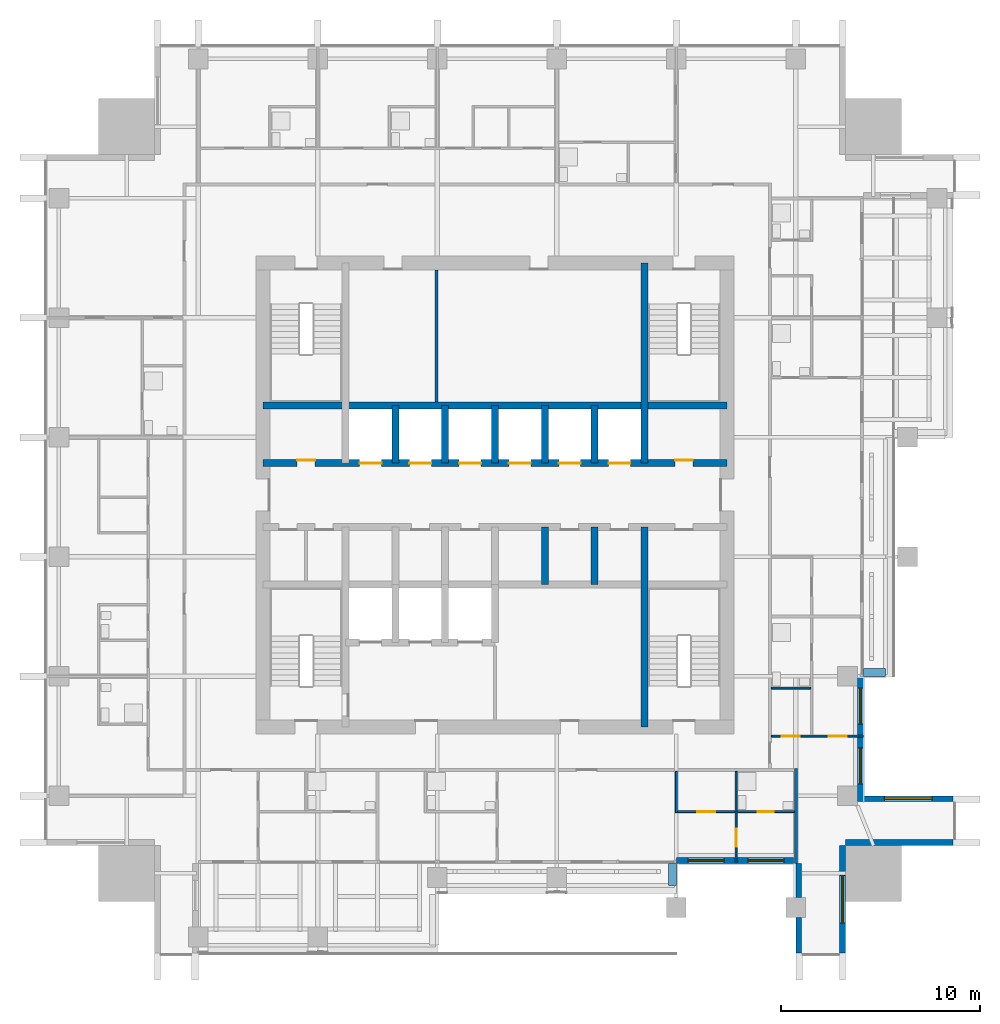
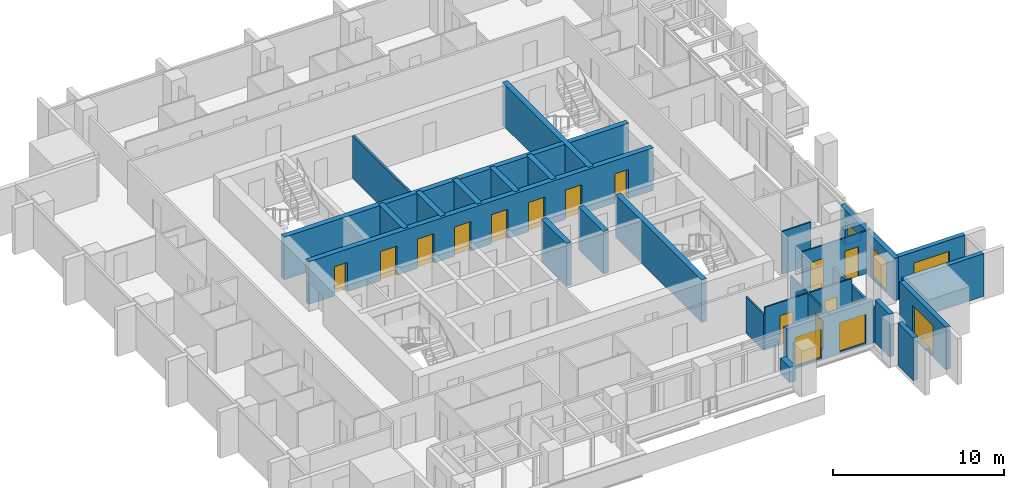
# One storey, part 10 of 16: 27 walls, 13 doors, 6 windows, 19 openings.
"""IFC4 building model written with IfcOpenShell, lengths in metres."""

import ifcopenshell
import ifcopenshell.guid

model = None  # the IFC model being written
_history = None  # IfcOwnerHistory: only IFC2X3 demands one
_inside = {}  # id of a spatial element -> (the spatial element, [elements in it])
_under = {}  # id of a project, library or spatial element -> (it, [spatial elements below it])
_declared = {}  # id of a project -> (the project, [libraries it declares])
_typed = {}  # id of a type object -> (the type object, [elements of that type])
_made_of = {}  # id of a material, layer set ... -> (it, [elements and type objects made of it])


def new_model(schema):
    """Start an empty IFC model of exactly this schema.

    Asked for "IFC4X3", IfcOpenShell would pick the latest addendum, in which some entities
    have other attributes; the version numbers below select the first issue.
    IFC2X3 requires an IfcOwnerHistory on every rooted entity: one is made here for all.
    """
    global model, _history
    if schema == "IFC4X3":
        model = ifcopenshell.file(schema_version=(4, 3, 0, 0))
    else:
        model = ifcopenshell.file(schema=schema)
    _inside.clear()
    _under.clear()
    _declared.clear()
    _typed.clear()
    _made_of.clear()
    _history = None
    if model.schema == "IFC2X3":
        org = make("IfcOrganization", Name="unknown")
        user = make(
            "IfcPersonAndOrganization",
            ThePerson=make("IfcPerson", FamilyName="unknown"),
            TheOrganization=org,
        )
        app = make(
            "IfcApplication",
            ApplicationDeveloper=org,
            Version="unknown",
            ApplicationFullName="unknown",
            ApplicationIdentifier="unknown",
        )
        _history = make(
            "IfcOwnerHistory",
            OwningUser=user,
            OwningApplication=app,
            ChangeAction="ADDED",
            CreationDate=0,
        )
    return model


def make(cls, **values):
    """One entity of the class cls with the attributes given. An attribute that is None is left unset."""
    return model.create_entity(
        cls, **{name: value for name, value in values.items() if value is not None}
    )


def rooted(cls, **values):
    """An entity with a GlobalId (a new one), such as an element, a storey or a relation."""
    return make(cls, GlobalId=ifcopenshell.guid.new(), OwnerHistory=_history, **values)


def si_unit(unit_type, name, prefix=None):
    """IfcSIUnit, for example si_unit("LENGTHUNIT", "METRE", prefix="MILLI")."""
    return make("IfcSIUnit", UnitType=unit_type, Prefix=prefix, Name=name)


def assignment(units):
    """IfcUnitAssignment: the units of a project."""
    return None if units is None else make("IfcUnitAssignment", Units=units)


def point(xyz):
    """IfcCartesianPoint."""
    return None if xyz is None else make("IfcCartesianPoint", Coordinates=xyz)


def direction(xyz):
    """IfcDirection."""
    return None if xyz is None else make("IfcDirection", DirectionRatios=xyz)


def frame(location, z_axis=None, x_axis=None):
    """IfcAxis2Placement3D, a coordinate frame: its origin and axes. An axis left out is left unset."""
    return make(
        "IfcAxis2Placement3D",
        Location=point(location),
        Axis=direction(z_axis),
        RefDirection=direction(x_axis),
    )


def frame_2d(location, x_axis=None):
    """IfcAxis2Placement2D, a coordinate frame in the plane: its origin and x axis."""
    return make(
        "IfcAxis2Placement2D", Location=point(location), RefDirection=direction(x_axis)
    )


def origin():
    """The frame at (0, 0, 0) with its axes left unset."""
    return frame((0.0, 0.0, 0.0))


def place(relative_to, where):
    """IfcLocalPlacement: puts the frame where relative to a parent placement (None: the world)."""
    return make(
        "IfcLocalPlacement", PlacementRelTo=relative_to, RelativePlacement=where
    )


def context(
    kind, dimensions, precision=None, world=None, true_north=None, identifier=None
):
    """IfcGeometricRepresentationContext, for example the 3D "Model" context."""
    return make(
        "IfcGeometricRepresentationContext",
        ContextIdentifier=identifier,
        ContextType=kind,
        CoordinateSpaceDimension=dimensions,
        Precision=precision,
        WorldCoordinateSystem=world,
        TrueNorth=true_north,
    )


def subcontext(parent, identifier, kind, view, scale=None):
    """IfcGeometricRepresentationSubContext, for example "Body" below "Model"."""
    return make(
        "IfcGeometricRepresentationSubContext",
        ContextIdentifier=identifier,
        ContextType=kind,
        ParentContext=parent,
        TargetScale=scale,
        TargetView=view,
    )


def project(units=None, contexts=None):
    """IfcProject with its units and contexts."""
    return rooted(
        "IfcProject",
        Name="project",
        RepresentationContexts=contexts,
        UnitsInContext=assignment(units),
    )


def spatial(cls, under=None, at=None, **own):
    """A site, building, storey or space (cls), placed at a placement, below another one or the project."""
    s = rooted(cls, ObjectPlacement=at, **own)
    if under is not None:
        _under.setdefault(under.id(), (under, []))[1].append(s)
    return s


def profile(cls, at=None, kind="AREA", **sizes):
    """A parametric profile (cls). Its sizes go by their IFC names, for example OverallWidth=200.0."""
    return make(cls, ProfileType=kind, Position=at, **sizes)


def rectangle(**sizes):
    """IfcRectangleProfileDef."""
    return profile("IfcRectangleProfileDef", **sizes)


def extrude(swept, where, along, depth):
    """IfcExtrudedAreaSolid: the profile swept, set in the frame where, extruded along a direction by depth."""
    return make(
        "IfcExtrudedAreaSolid",
        SweptArea=swept,
        Position=where,
        ExtrudedDirection=direction(along),
        Depth=depth,
    )


def shape(context_of_items, identifier, shape_type, items):
    """IfcShapeRepresentation: the items that make up one representation, for example the "Body"."""
    return make(
        "IfcShapeRepresentation",
        ContextOfItems=context_of_items,
        RepresentationIdentifier=identifier,
        RepresentationType=shape_type,
        Items=items,
    )


def material(Name=None, Category=None):
    """IfcMaterial."""
    return make("IfcMaterial", Name=Name, Category=Category)


def layer(
    of_material, thickness, ventilated=None, Name=None, Category=None, Priority=None
):
    """IfcMaterialLayer: one layer of a wall or slab, of a material (None: an air gap)."""
    return make(
        "IfcMaterialLayer",
        Material=of_material,
        LayerThickness=thickness,
        IsVentilated=ventilated,
        Name=Name,
        Category=Category,
        Priority=Priority,
    )


def layer_set(layers, Name=None):
    """IfcMaterialLayerSet."""
    return make("IfcMaterialLayerSet", MaterialLayers=layers, LayerSetName=Name)


def made_of(thing, what):
    """Note that an element or type object is made of a material, layer set ...; save() writes the relation."""
    if what is not None:
        _made_of.setdefault(what.id(), (what, []))[1].append(thing)
    return thing


def type_object(cls, material=None, **own):
    """A type object (cls), such as IfcWallType, which elements share."""
    return made_of(rooted(cls, **own), material)


def element(
    cls,
    number,
    at=None,
    inside=None,
    cuts=None,
    type_object=None,
    material=None,
    context=None,
    identifier="Body",
    shape_type=None,
    held_by="IfcProductDefinitionShape",
    body=None,
    shapes=None,
    **own,
):
    """One element of the class cls, such as IfcWall. Its Tag is "e" and its number.

    at: its placement. inside: the storey or other place that contains it. cuts: it is an
    opening in that element (IfcRelVoidsElement). A single representation is given by context,
    identifier, shape_type and body (its items); several are given by shapes. held_by: the class
    of the entity that holds the representations. save() writes the other relations.
    """
    e = rooted(cls, Tag="e%d" % number, ObjectPlacement=at, **own)
    if body is not None:
        shapes = [shape(context, identifier, shape_type, body)]
    if shapes is not None:
        e.Representation = make(held_by, Representations=shapes)
    if inside is not None:
        _inside.setdefault(inside.id(), (inside, []))[1].append(e)
    if cuts is not None:
        rooted(
            "IfcRelVoidsElement", RelatingBuildingElement=cuts, RelatedOpeningElement=e
        )
    if type_object is not None:
        _typed.setdefault(type_object.id(), (type_object, []))[1].append(e)
    return made_of(e, material)


def fill(opening, filler):
    """IfcRelFillsElement: the door or window that sits in an opening."""
    return rooted(
        "IfcRelFillsElement",
        RelatingOpeningElement=opening,
        RelatedBuildingElement=filler,
    )


def aggregate(whole, parts):
    """IfcRelAggregates: a whole, such as a stair, and the parts it consists of."""
    return rooted("IfcRelAggregates", RelatingObject=whole, RelatedObjects=parts)


def save(model, path):
    """Write the relations noted so far, then the file.

    IfcRelAggregates (storeys below a building ...), IfcRelContainedInSpatialStructure (elements
    in a storey), IfcRelDefinesByType, IfcRelAssociatesMaterial and IfcRelDeclares: one each for
    every whole, place, type object, material and project.
    """
    for whole, parts in _under.values():
        aggregate(whole, parts)
    for where, things in _inside.values():
        rooted(
            "IfcRelContainedInSpatialStructure",
            RelatedElements=things,
            RelatingStructure=where,
        )
    for kind, things in _typed.values():
        rooted("IfcRelDefinesByType", RelatedObjects=things, RelatingType=kind)
    for what, things in _made_of.values():
        rooted("IfcRelAssociatesMaterial", RelatedObjects=things, RelatingMaterial=what)
    for by, libraries in _declared.values():
        rooted("IfcRelDeclares", RelatingContext=by, RelatedDefinitions=libraries)
    model.write(path)


model = new_model("IFC4")

# Units and contexts
model_context = context("Model", 3, precision=1e-05, world=origin(), true_north=direction((0.0, 1.0)))
body_context = subcontext(model_context, "Body", "Model", "MODEL_VIEW")
ifc_project = project(units=[si_unit("LENGTHUNIT", "METRE"), si_unit("AREAUNIT", "SQUARE_METRE"), si_unit("VOLUMEUNIT", "CUBIC_METRE"), si_unit("PLANEANGLEUNIT", "RADIAN"), si_unit("MASSUNIT", "GRAM", prefix="KILO")], contexts=[model_context])

# Site, building, storey
site_placement = place(None, origin())
site = spatial("IfcSite", under=ifc_project, at=site_placement, CompositionType="ELEMENT")
building_placement = place(site_placement, origin())
building = spatial("IfcBuilding", under=site, at=building_placement, Name="Amberfall Residences", CompositionType="ELEMENT")
storey_placement = place(building_placement, frame((0.0, 0.0, 164.800048828125)))
storey = spatial("IfcBuildingStorey", under=building, at=storey_placement, Name="L44", CompositionType="ELEMENT", Elevation=164.800048828125)

# Walls
ifc_material_1 = material(Name="Pale stone cladding on insulated backing", Category="masonry")
ifc_layer_1 = layer(ifc_material_1, 0.300048828125)
ifc_layer_set_1 = layer_set([ifc_layer_1], Name="Bronze clad wall 300")
wall_type_1 = type_object("IfcWallType", Name="Bronze clad wall 300", PredefinedType="SOLIDWALL", material=ifc_layer_set_1)
wall_1_placement = place(storey_placement, frame((89.75, 27.0, 0.0), z_axis=(0.0, 0.0, 1.0), x_axis=(0.0, -1.0, 0.0)))
element("IfcWall", 1, at=wall_1_placement, inside=storey, type_object=wall_type_1, Name="External wall L44 S", PredefinedType="SOLIDWALL", context=body_context, shape_type="SweptSolid", body=[
    extrude(rectangle(XDim=1.699951171875, YDim=0.300048828125, at=frame_2d((0.85009765625, 0.0))), origin(), (0.0, 0.0, 1.0), 3.050048828125),
])
wall_2_placement = place(storey_placement, frame((89.75, 24.300048828125, 0.0), z_axis=(0.0, 0.0, 1.0), x_axis=(0.0, -1.0, 0.0)))
element("IfcWall", 2, at=wall_2_placement, inside=storey, type_object=wall_type_1, Name="External wall L44 S", PredefinedType="SOLIDWALL", context=body_context, shape_type="SweptSolid", body=[
    extrude(rectangle(XDim=1.800048828125, YDim=0.300048828125, at=frame_2d((0.89990234375, 0.0))), origin(), (0.0, 0.0, 1.0), 3.050048828125),
])

# Wall, opening, window
wall_3_placement = place(storey_placement, frame((91.949951171875, 22.5, 0.0), z_axis=(0.0, 0.0, 1.0), x_axis=(0.0, 1.0, 0.0)))
wall_3 = element("IfcWall", 3, at=wall_3_placement, inside=storey, type_object=wall_type_1, Name="External wall L44 SE", PredefinedType="SOLIDWALL", context=body_context, shape_type="SweptSolid", body=[
    extrude(rectangle(XDim=5.39990234375, YDim=0.300048828125, at=frame_2d((2.699951171875, 0.0))), origin(), (0.0, 0.0, 1.0), 3.050048828125),
])
opening_1_placement = place(wall_3_placement, frame((1.5, 0.0, 0.14990234375)))
opening_1 = element("IfcOpeningElement", 4, at=opening_1_placement, cuts=wall_3, Name="Opening WN5", PredefinedType="OPENING", context=body_context, shape_type="SweptSolid", body=[
    extrude(rectangle(XDim=2.39990234375, YDim=2.10009765625, at=frame_2d((1.199951171875, 1.050048828125))), frame((0.0, 0.159912109375, 0.0), z_axis=(0.0, -1.0, 0.0), x_axis=(1.0, 0.0, 0.0)), (0.0, 0.0, 1.0), 0.320068359375),
])
ifc_material_2 = material(Name="Bronze aluminium framed glazing", Category="aluminium")
window_type_1 = type_object("IfcWindowType", Name="Glazed opening 2400 x 2100 bronze", PartitioningType="DOUBLE_PANEL_VERTICAL", PredefinedType="WINDOW", material=ifc_material_2)
window_1_placement = place(opening_1_placement, origin())
window_1 = element("IfcWindow", 5, at=window_1_placement, inside=storey, type_object=window_type_1, Name="Window L44 SE", OverallHeight=2.10009765625, OverallWidth=2.39990234375, PartitioningType="DOUBLE_PANEL_VERTICAL", PredefinedType="WINDOW", context=body_context, shape_type="SweptSolid", body=[
    extrude(rectangle(XDim=2.39990234375, YDim=2.10009765625, at=frame_2d((1.199951171875, 1.050048828125))), frame((0.0, 0.030029296875, 0.0), z_axis=(0.0, -1.0, 0.0), x_axis=(1.0, 0.0, 0.0)), (0.0, 0.0, 1.0), 0.06005859375),
])
fill(opening_1, window_1)

# Wall
wall_4_placement = place(storey_placement, frame((92.10009765625, 28.050048828125, 0.0), z_axis=(0.0, 0.0, 1.0), x_axis=(1.0, 0.0, 0.0)))
element("IfcWall", 6, at=wall_4_placement, inside=storey, type_object=wall_type_1, Name="External wall L44 SE", PredefinedType="SOLIDWALL", context=body_context, shape_type="SweptSolid", body=[
    extrude(rectangle(XDim=5.39990234375, YDim=0.300048828125, at=frame_2d((2.699951171875, 0.0))), origin(), (0.0, 0.0, 1.0), 3.050048828125),
])

# Wall, opening, window
wall_5_placement = place(storey_placement, frame((97.5, 30.25, 0.0), z_axis=(0.0, 0.0, 1.0), x_axis=(-1.0, 0.0, 0.0)))
wall_5 = element("IfcWall", 7, at=wall_5_placement, inside=storey, type_object=wall_type_1, Name="External wall L44 E", PredefinedType="SOLIDWALL", context=body_context, shape_type="SweptSolid", body=[
    extrude(rectangle(XDim=4.5, YDim=0.300048828125, at=frame_2d((2.25, 0.0))), origin(), (0.0, 0.0, 1.0), 3.050048828125),
])
opening_2_placement = place(wall_5_placement, frame((1.050048828125, 0.0, 0.14990234375)))
opening_2 = element("IfcOpeningElement", 8, at=opening_2_placement, cuts=wall_5, Name="Opening WN5", PredefinedType="OPENING", context=body_context, shape_type="SweptSolid", body=[
    extrude(rectangle(XDim=2.39990234375, YDim=2.10009765625, at=frame_2d((1.199951171875, 1.050048828125))), frame((0.0, 0.159912109375, 0.0), z_axis=(0.0, -1.0, 0.0), x_axis=(1.0, 0.0, 0.0)), (0.0, 0.0, 1.0), 0.320068359375),
])
window_2_placement = place(opening_2_placement, origin())
window_2 = element("IfcWindow", 9, at=window_2_placement, inside=storey, type_object=window_type_1, Name="Window L44 E", OverallHeight=2.10009765625, OverallWidth=2.39990234375, PartitioningType="DOUBLE_PANEL_VERTICAL", PredefinedType="WINDOW", context=body_context, shape_type="SweptSolid", body=[
    extrude(rectangle(XDim=2.39990234375, YDim=2.10009765625, at=frame_2d((1.199951171875, 1.050048828125))), frame((0.0, 0.030029296875, 0.0), z_axis=(0.0, -1.0, 0.0), x_axis=(1.0, 0.0, 0.0)), (0.0, 0.0, 1.0), 0.06005859375),
])
fill(opening_2, window_2)

# Wall, openings, windows
wall_6_placement = place(storey_placement, frame((83.60009765625, 27.14990234375, 0.0), z_axis=(0.0, 0.0, 1.0), x_axis=(1.0, 0.0, 0.0)))
wall_6 = element("IfcWall", 10, at=wall_6_placement, inside=storey, type_object=wall_type_1, Name="Stone wall L44 S", PredefinedType="SOLIDWALL", context=body_context, shape_type="SweptSolid", body=[
    extrude(rectangle(XDim=5.889892578125, YDim=0.300048828125, at=frame_2d((2.94482421875, 0.0))), origin(), (0.0, 0.0, 1.0), 3.050048828125),
])
opening_3_placement = place(wall_6_placement, frame((0.60009765625, 0.0, 0.14990234375)))
opening_3 = element("IfcOpeningElement", 11, at=opening_3_placement, cuts=wall_6, Name="Opening WN6", PredefinedType="OPENING", context=body_context, shape_type="SweptSolid", body=[
    extrude(rectangle(XDim=1.800048828125, YDim=2.10009765625, at=frame_2d((0.89990234375, 1.050048828125))), frame((0.0, 0.159912109375, 0.0), z_axis=(0.0, -1.0, 0.0), x_axis=(1.0, 0.0, 0.0)), (0.0, 0.0, 1.0), 0.320068359375),
])
opening_4_placement = place(wall_6_placement, frame((3.60009765625, 0.0, 0.14990234375)))
opening_4 = element("IfcOpeningElement", 12, at=opening_4_placement, cuts=wall_6, Name="Opening WN6", PredefinedType="OPENING", context=body_context, shape_type="SweptSolid", body=[
    extrude(rectangle(XDim=1.800048828125, YDim=2.10009765625, at=frame_2d((0.89990234375, 1.050048828125))), frame((0.0, 0.159912109375, 0.0), z_axis=(0.0, -1.0, 0.0), x_axis=(1.0, 0.0, 0.0)), (0.0, 0.0, 1.0), 0.320068359375),
])
window_type_2 = type_object("IfcWindowType", Name="Glazed opening 1800 x 2100 bronze", PartitioningType="DOUBLE_PANEL_VERTICAL", PredefinedType="WINDOW", material=ifc_material_2)
window_3_placement = place(opening_3_placement, origin())
window_3 = element("IfcWindow", 13, at=window_3_placement, inside=storey, type_object=window_type_2, Name="Window L44 S", OverallHeight=2.10009765625, OverallWidth=1.800048828125, PartitioningType="DOUBLE_PANEL_VERTICAL", PredefinedType="WINDOW", context=body_context, shape_type="SweptSolid", body=[
    extrude(rectangle(XDim=1.800048828125, YDim=2.10009765625, at=frame_2d((0.89990234375, 1.050048828125))), frame((0.0, 0.030029296875, 0.0), z_axis=(0.0, -1.0, 0.0), x_axis=(1.0, 0.0, 0.0)), (0.0, 0.0, 1.0), 0.06005859375),
])
fill(opening_3, window_3)
window_4_placement = place(opening_4_placement, origin())
window_4 = element("IfcWindow", 14, at=window_4_placement, inside=storey, type_object=window_type_2, Name="Window L44 S", OverallHeight=2.10009765625, OverallWidth=1.800048828125, PartitioningType="DOUBLE_PANEL_VERTICAL", PredefinedType="WINDOW", context=body_context, shape_type="SweptSolid", body=[
    extrude(rectangle(XDim=1.800048828125, YDim=2.10009765625, at=frame_2d((0.89990234375, 1.050048828125))), frame((0.0, 0.030029296875, 0.0), z_axis=(0.0, -1.0, 0.0), x_axis=(1.0, 0.0, 0.0)), (0.0, 0.0, 1.0), 0.06005859375),
])
fill(opening_4, window_4)

wall_7_placement = place(storey_placement, frame((92.85009765625, 30.10009765625, 0.0), z_axis=(0.0, 0.0, 1.0), x_axis=(0.0, 1.0, 0.0)))
wall_7 = element("IfcWall", 15, at=wall_7_placement, inside=storey, type_object=wall_type_1, Name="Stone wall L44 E", PredefinedType="SOLIDWALL", context=body_context, shape_type="SweptSolid", body=[
    extrude(rectangle(XDim=6.2998046875, YDim=0.300048828125, at=frame_2d((3.14990234375, 0.0))), origin(), (0.0, 0.0, 1.0), 3.050048828125),
])
opening_5_placement = place(wall_7_placement, frame((0.89990234375, 0.0, 0.14990234375)))
opening_5 = element("IfcOpeningElement", 16, at=opening_5_placement, cuts=wall_7, Name="Opening WN6", PredefinedType="OPENING", context=body_context, shape_type="SweptSolid", body=[
    extrude(rectangle(XDim=1.800048828125, YDim=2.10009765625, at=frame_2d((0.89990234375, 1.050048828125))), frame((0.0, 0.159912109375, 0.0), z_axis=(0.0, -1.0, 0.0), x_axis=(1.0, 0.0, 0.0)), (0.0, 0.0, 1.0), 0.320068359375),
])
opening_6_placement = place(wall_7_placement, frame((3.89990234375, 0.0, 0.14990234375)))
opening_6 = element("IfcOpeningElement", 17, at=opening_6_placement, cuts=wall_7, Name="Opening WN6", PredefinedType="OPENING", context=body_context, shape_type="SweptSolid", body=[
    extrude(rectangle(XDim=1.800048828125, YDim=2.10009765625, at=frame_2d((0.89990234375, 1.050048828125))), frame((0.0, 0.159912109375, 0.0), z_axis=(0.0, -1.0, 0.0), x_axis=(1.0, 0.0, 0.0)), (0.0, 0.0, 1.0), 0.320068359375),
])
window_5_placement = place(opening_5_placement, origin())
window_5 = element("IfcWindow", 18, at=window_5_placement, inside=storey, type_object=window_type_2, Name="Window L44 E", OverallHeight=2.10009765625, OverallWidth=1.800048828125, PartitioningType="DOUBLE_PANEL_VERTICAL", PredefinedType="WINDOW", context=body_context, shape_type="SweptSolid", body=[
    extrude(rectangle(XDim=1.800048828125, YDim=2.10009765625, at=frame_2d((0.89990234375, 1.050048828125))), frame((0.0, 0.030029296875, 0.0), z_axis=(0.0, -1.0, 0.0), x_axis=(1.0, 0.0, 0.0)), (0.0, 0.0, 1.0), 0.06005859375),
])
fill(opening_5, window_5)
window_6_placement = place(opening_6_placement, origin())
window_6 = element("IfcWindow", 19, at=window_6_placement, inside=storey, type_object=window_type_2, Name="Window L44 E", OverallHeight=2.10009765625, OverallWidth=1.800048828125, PartitioningType="DOUBLE_PANEL_VERTICAL", PredefinedType="WINDOW", context=body_context, shape_type="SweptSolid", body=[
    extrude(rectangle(XDim=1.800048828125, YDim=2.10009765625, at=frame_2d((0.89990234375, 1.050048828125))), frame((0.0, 0.030029296875, 0.0), z_axis=(0.0, -1.0, 0.0), x_axis=(1.0, 0.0, 0.0)), (0.0, 0.0, 1.0), 0.06005859375),
])
fill(opening_6, window_6)

# Wall, openings, doors
ifc_material_3 = material(Name="Concrete C60", Category="concrete")
ifc_layer_2 = layer(ifc_material_3, 0.35009765625)
ifc_layer_set_2 = layer_set([ifc_layer_2], Name="Core wall 350 C60")
wall_type_2 = type_object("IfcWallType", Name="Core wall 350 C60", PredefinedType="SHEAR", material=ifc_layer_set_2)
wall_8_placement = place(storey_placement, frame((62.85009765625, 47.10009765625, 0.0), z_axis=(0.0, 0.0, 1.0), x_axis=(1.0, 0.0, 0.0)))
wall_8 = element("IfcWall", 20, at=wall_8_placement, inside=storey, type_object=wall_type_2, Name="Core wall RW6 L44 H136", PredefinedType="SHEAR", context=body_context, shape_type="SweptSolid", body=[
    extrude(rectangle(XDim=23.2998046875, YDim=0.35009765625, at=frame_2d((11.64990234375, 0.0))), origin(), (0.0, 0.0, 1.0), 3.050048828125),
])
opening_7_placement = place(wall_8_placement, frame((1.71240234375, 0.0, 0.0)))
opening_7 = element("IfcOpeningElement", 21, at=opening_7_placement, cuts=wall_8, Name="Opening RD1", PredefinedType="OPENING", context=body_context, shape_type="SweptSolid", body=[
    extrude(rectangle(XDim=0.89990234375, YDim=2.10009765625, at=frame_2d((0.449951171875, 1.050048828125))), frame((0.0, 0.18505859375, 0.0), z_axis=(0.0, -1.0, 0.0), x_axis=(1.0, 0.0, 0.0)), (0.0, 0.0, 1.0), 0.3701171875),
])
opening_8_placement = place(wall_8_placement, frame((20.6875, 0.0, 0.0)))
opening_8 = element("IfcOpeningElement", 22, at=opening_8_placement, cuts=wall_8, Name="Opening RD1", PredefinedType="OPENING", context=body_context, shape_type="SweptSolid", body=[
    extrude(rectangle(XDim=0.89990234375, YDim=2.10009765625, at=frame_2d((0.449951171875, 1.050048828125))), frame((0.0, 0.18505859375, 0.0), z_axis=(0.0, -1.0, 0.0), x_axis=(1.0, 0.0, 0.0)), (0.0, 0.0, 1.0), 0.3701171875),
])
opening_9_placement = place(wall_8_placement, frame((4.85009765625, 0.0, 0.0)))
opening_9 = element("IfcOpeningElement", 23, at=opening_9_placement, cuts=wall_8, Name="Opening LD1", PredefinedType="OPENING", context=body_context, shape_type="SweptSolid", body=[
    extrude(rectangle(XDim=1.10009765625, YDim=2.10009765625, at=frame_2d((0.550048828125, 1.050048828125))), frame((0.0, 0.18505859375, 0.0), z_axis=(0.0, -1.0, 0.0), x_axis=(1.0, 0.0, 0.0)), (0.0, 0.0, 1.0), 0.3701171875),
])
opening_10_placement = place(wall_8_placement, frame((7.35009765625, 0.0, 0.0)))
opening_10 = element("IfcOpeningElement", 24, at=opening_10_placement, cuts=wall_8, Name="Opening LD1", PredefinedType="OPENING", context=body_context, shape_type="SweptSolid", body=[
    extrude(rectangle(XDim=1.10009765625, YDim=2.10009765625, at=frame_2d((0.550048828125, 1.050048828125))), frame((0.0, 0.18505859375, 0.0), z_axis=(0.0, -1.0, 0.0), x_axis=(1.0, 0.0, 0.0)), (0.0, 0.0, 1.0), 0.3701171875),
])
opening_11_placement = place(wall_8_placement, frame((9.85009765625, 0.0, 0.0)))
opening_11 = element("IfcOpeningElement", 25, at=opening_11_placement, cuts=wall_8, Name="Opening LD1", PredefinedType="OPENING", context=body_context, shape_type="SweptSolid", body=[
    extrude(rectangle(XDim=1.10009765625, YDim=2.10009765625, at=frame_2d((0.550048828125, 1.050048828125))), frame((0.0, 0.18505859375, 0.0), z_axis=(0.0, -1.0, 0.0), x_axis=(1.0, 0.0, 0.0)), (0.0, 0.0, 1.0), 0.3701171875),
])
opening_12_placement = place(wall_8_placement, frame((12.35009765625, 0.0, 0.0)))
opening_12 = element("IfcOpeningElement", 26, at=opening_12_placement, cuts=wall_8, Name="Opening LD1", PredefinedType="OPENING", context=body_context, shape_type="SweptSolid", body=[
    extrude(rectangle(XDim=1.10009765625, YDim=2.10009765625, at=frame_2d((0.550048828125, 1.050048828125))), frame((0.0, 0.18505859375, 0.0), z_axis=(0.0, -1.0, 0.0), x_axis=(1.0, 0.0, 0.0)), (0.0, 0.0, 1.0), 0.3701171875),
])
opening_13_placement = place(wall_8_placement, frame((14.85009765625, 0.0, 0.0)))
opening_13 = element("IfcOpeningElement", 27, at=opening_13_placement, cuts=wall_8, Name="Opening LD1", PredefinedType="OPENING", context=body_context, shape_type="SweptSolid", body=[
    extrude(rectangle(XDim=1.10009765625, YDim=2.10009765625, at=frame_2d((0.550048828125, 1.050048828125))), frame((0.0, 0.18505859375, 0.0), z_axis=(0.0, -1.0, 0.0), x_axis=(1.0, 0.0, 0.0)), (0.0, 0.0, 1.0), 0.3701171875),
])
opening_14_placement = place(wall_8_placement, frame((17.35009765625, 0.0, 0.0)))
opening_14 = element("IfcOpeningElement", 28, at=opening_14_placement, cuts=wall_8, Name="Opening LD1", PredefinedType="OPENING", context=body_context, shape_type="SweptSolid", body=[
    extrude(rectangle(XDim=1.10009765625, YDim=2.10009765625, at=frame_2d((0.550048828125, 1.050048828125))), frame((0.0, 0.18505859375, 0.0), z_axis=(0.0, -1.0, 0.0), x_axis=(1.0, 0.0, 0.0)), (0.0, 0.0, 1.0), 0.3701171875),
])
ifc_material_4 = material(Name="Steel fire door set", Category="steel")
door_type_1 = type_object("IfcDoorType", Name="Lift landing door 1100 x 2100", OperationType="DOUBLE_DOOR_SLIDING", PredefinedType="DOOR", material=ifc_material_4)
door_1_placement = place(opening_9_placement, origin())
door_1 = element("IfcDoor", 29, at=door_1_placement, inside=storey, type_object=door_type_1, Name="Landing door HP1 L44", OperationType="DOUBLE_DOOR_SLIDING", OverallHeight=2.10009765625, OverallWidth=1.10009765625, PredefinedType="DOOR", context=body_context, shape_type="SweptSolid", body=[
    extrude(rectangle(XDim=1.10009765625, YDim=2.10009765625, at=frame_2d((0.550048828125, 1.050048828125))), frame((0.0, 0.02490234375, 0.0), z_axis=(0.0, -1.0, 0.0), x_axis=(1.0, 0.0, 0.0)), (0.0, 0.0, 1.0), 0.050048828125),
])
fill(opening_9, door_1)
door_2_placement = place(opening_10_placement, origin())
door_2 = element("IfcDoor", 30, at=door_2_placement, inside=storey, type_object=door_type_1, Name="Landing door HP2 L44", OperationType="DOUBLE_DOOR_SLIDING", OverallHeight=2.10009765625, OverallWidth=1.10009765625, PredefinedType="DOOR", context=body_context, shape_type="SweptSolid", body=[
    extrude(rectangle(XDim=1.10009765625, YDim=2.10009765625, at=frame_2d((0.550048828125, 1.050048828125))), frame((0.0, 0.02490234375, 0.0), z_axis=(0.0, -1.0, 0.0), x_axis=(1.0, 0.0, 0.0)), (0.0, 0.0, 1.0), 0.050048828125),
])
fill(opening_10, door_2)
door_3_placement = place(opening_11_placement, origin())
door_3 = element("IfcDoor", 31, at=door_3_placement, inside=storey, type_object=door_type_1, Name="Landing door HP3 L44", OperationType="DOUBLE_DOOR_SLIDING", OverallHeight=2.10009765625, OverallWidth=1.10009765625, PredefinedType="DOOR", context=body_context, shape_type="SweptSolid", body=[
    extrude(rectangle(XDim=1.10009765625, YDim=2.10009765625, at=frame_2d((0.550048828125, 1.050048828125))), frame((0.0, 0.02490234375, 0.0), z_axis=(0.0, -1.0, 0.0), x_axis=(1.0, 0.0, 0.0)), (0.0, 0.0, 1.0), 0.050048828125),
])
fill(opening_11, door_3)
door_4_placement = place(opening_12_placement, origin())
door_4 = element("IfcDoor", 32, at=door_4_placement, inside=storey, type_object=door_type_1, Name="Landing door HP4 L44", OperationType="DOUBLE_DOOR_SLIDING", OverallHeight=2.10009765625, OverallWidth=1.10009765625, PredefinedType="DOOR", context=body_context, shape_type="SweptSolid", body=[
    extrude(rectangle(XDim=1.10009765625, YDim=2.10009765625, at=frame_2d((0.550048828125, 1.050048828125))), frame((0.0, 0.02490234375, 0.0), z_axis=(0.0, -1.0, 0.0), x_axis=(1.0, 0.0, 0.0)), (0.0, 0.0, 1.0), 0.050048828125),
])
fill(opening_12, door_4)
door_5_placement = place(opening_13_placement, origin())
door_5 = element("IfcDoor", 33, at=door_5_placement, inside=storey, type_object=door_type_1, Name="Landing door HP5 L44", OperationType="DOUBLE_DOOR_SLIDING", OverallHeight=2.10009765625, OverallWidth=1.10009765625, PredefinedType="DOOR", context=body_context, shape_type="SweptSolid", body=[
    extrude(rectangle(XDim=1.10009765625, YDim=2.10009765625, at=frame_2d((0.550048828125, 1.050048828125))), frame((0.0, 0.02490234375, 0.0), z_axis=(0.0, -1.0, 0.0), x_axis=(1.0, 0.0, 0.0)), (0.0, 0.0, 1.0), 0.050048828125),
])
fill(opening_13, door_5)
door_6_placement = place(opening_14_placement, origin())
door_6 = element("IfcDoor", 34, at=door_6_placement, inside=storey, type_object=door_type_1, Name="Landing door HP6 L44", OperationType="DOUBLE_DOOR_SLIDING", OverallHeight=2.10009765625, OverallWidth=1.10009765625, PredefinedType="DOOR", context=body_context, shape_type="SweptSolid", body=[
    extrude(rectangle(XDim=1.10009765625, YDim=2.10009765625, at=frame_2d((0.550048828125, 1.050048828125))), frame((0.0, 0.02490234375, 0.0), z_axis=(0.0, -1.0, 0.0), x_axis=(1.0, 0.0, 0.0)), (0.0, 0.0, 1.0), 0.050048828125),
])
fill(opening_14, door_6)
door_type_2 = type_object("IfcDoorType", Name="Service room door 900 x 2100", OperationType="SINGLE_SWING_LEFT", PredefinedType="DOOR", material=ifc_material_4)
door_7_placement = place(opening_7_placement, origin())
door_7 = element("IfcDoor", 35, at=door_7_placement, inside=storey, type_object=door_type_2, Name="RD1 L44", OperationType="SINGLE_SWING_LEFT", OverallHeight=2.10009765625, OverallWidth=0.89990234375, PredefinedType="DOOR", context=body_context, shape_type="SweptSolid", body=[
    extrude(rectangle(XDim=0.89990234375, YDim=2.10009765625, at=frame_2d((0.449951171875, 1.050048828125))), frame((0.0, 0.16259765625, 0.0), z_axis=(0.0, -1.0, 0.0), x_axis=(1.0, 0.0, 0.0)), (0.0, 0.0, 1.0), 0.050048828125),
])
fill(opening_7, door_7)
door_8_placement = place(opening_8_placement, origin())
door_8 = element("IfcDoor", 36, at=door_8_placement, inside=storey, type_object=door_type_2, Name="RD1 L44", OperationType="SINGLE_SWING_LEFT", OverallHeight=2.10009765625, OverallWidth=0.89990234375, PredefinedType="DOOR", context=body_context, shape_type="SweptSolid", body=[
    extrude(rectangle(XDim=0.89990234375, YDim=2.10009765625, at=frame_2d((0.449951171875, 1.050048828125))), frame((0.0, 0.16259765625, 0.0), z_axis=(0.0, -1.0, 0.0), x_axis=(1.0, 0.0, 0.0)), (0.0, 0.0, 1.0), 0.050048828125),
])
fill(opening_8, door_8)

# Walls
wall_9_placement = place(storey_placement, frame((62.85009765625, 50.0, 0.0), z_axis=(0.0, 0.0, 1.0), x_axis=(1.0, 0.0, 0.0)))
element("IfcWall", 37, at=wall_9_placement, inside=storey, type_object=wall_type_2, Name="Core wall RW6 L44 H165", PredefinedType="SHEAR", context=body_context, shape_type="SweptSolid", body=[
    extrude(rectangle(XDim=23.2998046875, YDim=0.35009765625, at=frame_2d((11.64990234375, 0.0))), origin(), (0.0, 0.0, 1.0), 3.050048828125),
])
for number, where, z_axis, x_axis, name in (
    (38, (82.0, 33.85009765625, 0.0), (0.0, 0.0, 1.0), (0.0, 1.0, 0.0), "Core wall RW6 L44 V195S"),
    (39, (82.0, 47.10009765625, 0.0), (0.0, 0.0, 1.0), (0.0, 1.0, 0.0), "Core wall RW6 L44 V195N"),
):
    element("IfcWall", number, at=place(storey_placement, frame(where, z_axis=z_axis, x_axis=x_axis)), inside=storey, type_object=wall_type_2, Name=name, PredefinedType="SHEAR", context=body_context, shape_type="SweptSolid", body=[
        extrude(rectangle(XDim=10.0498046875, YDim=0.35009765625, at=frame_2d((5.02490234375, 0.0))), origin(), (0.0, 0.0, 1.0), 3.050048828125),
    ])
for number, where, z_axis, x_axis, name in (
    (40, (69.5, 47.10009765625, 0.0), (0.0, 0.0, 1.0), (0.0, 1.0, 0.0), "Core wall RW6 L44 HPD1"),
    (41, (72.0, 47.10009765625, 0.0), (0.0, 0.0, 1.0), (0.0, 1.0, 0.0), "Core wall RW6 L44 HPD2"),
    (42, (74.5, 47.10009765625, 0.0), (0.0, 0.0, 1.0), (0.0, 1.0, 0.0), "Core wall RW6 L44 HPD3"),
    (43, (77.0, 41.0, 0.0), (0.0, 0.0, 1.0), (0.0, 1.0, 0.0), "Core wall RW6 L44 LPD4"),
    (44, (77.0, 47.10009765625, 0.0), (0.0, 0.0, 1.0), (0.0, 1.0, 0.0), "Core wall RW6 L44 HPD4"),
    (45, (79.5, 41.0, 0.0), (0.0, 0.0, 1.0), (0.0, 1.0, 0.0), "Core wall RW6 L44 LPD5"),
    (46, (79.5, 47.10009765625, 0.0), (0.0, 0.0, 1.0), (0.0, 1.0, 0.0), "Core wall RW6 L44 HPD5"),
):
    element("IfcWall", number, at=place(storey_placement, frame(where, z_axis=z_axis, x_axis=x_axis)), inside=storey, type_object=wall_type_2, Name=name, PredefinedType="SHEAR", context=body_context, shape_type="SweptSolid", body=[
        extrude(rectangle(XDim=2.89990234375, YDim=0.35009765625, at=frame_2d((1.449951171875, 0.0))), origin(), (0.0, 0.0, 1.0), 3.050048828125),
    ])
ifc_material_5 = material(Name="Gypsum board on metal stud")
ifc_layer_3 = layer(ifc_material_5, 0.10009765625)
ifc_layer_set_3 = layer_set([ifc_layer_3], Name="Flat partition 100")
wall_type_3 = type_object("IfcWallType", Name="Flat partition 100", PredefinedType="PARTITIONING", material=ifc_layer_set_3)
wall_10_placement = place(storey_placement, frame((83.60009765625, 29.550048828125, 0.0), z_axis=(0.0, 0.0, 1.0), x_axis=(0.0, 1.0, 0.0)))
element("IfcWall", 47, at=wall_10_placement, inside=storey, type_object=wall_type_3, Name="Partition 016", PredefinedType="PARTITIONING", context=body_context, shape_type="SweptSolid", body=[
    extrude(rectangle(XDim=2.074951171875, YDim=0.10009765625, at=frame_2d((1.03759765625, 0.0))), origin(), (0.0, 0.0, 1.0), 2.58984375),
])

# Wall, opening, door
wall_11_placement = place(storey_placement, frame((86.60009765625, 31.625, 0.0), z_axis=(0.0, 0.0, 1.0), x_axis=(0.0, -1.0, 0.0)))
wall_11 = element("IfcWall", 48, at=wall_11_placement, inside=storey, type_object=wall_type_3, Name="Partition 018", PredefinedType="PARTITIONING", context=body_context, shape_type="SweptSolid", body=[
    extrude(rectangle(XDim=4.625, YDim=0.10009765625, at=frame_2d((2.3125, 0.0))), origin(), (0.0, 0.0, 1.0), 3.050048828125),
])
opening_15_placement = place(wall_11_placement, frame((2.875, 0.0, 0.0)))
opening_15 = element("IfcOpeningElement", 49, at=opening_15_placement, cuts=wall_11, Name="Opening D41", PredefinedType="OPENING", context=body_context, shape_type="SweptSolid", body=[
    extrude(rectangle(XDim=0.89990234375, YDim=2.10009765625, at=frame_2d((0.449951171875, 1.050048828125))), frame((0.0, 0.06005859375, 0.0), z_axis=(0.0, -1.0, 0.0), x_axis=(1.0, 0.0, 0.0)), (0.0, 0.0, 1.0), 0.1201171875),
])
ifc_material_6 = material(Name="Timber", Category="wood")
door_type_3 = type_object("IfcDoorType", Name="Internal door 900 x 2100", OperationType="SINGLE_SWING_LEFT", PredefinedType="DOOR", material=ifc_material_6)
door_9_placement = place(opening_15_placement, origin())
door_9 = element("IfcDoor", 50, at=door_9_placement, inside=storey, type_object=door_type_3, Name="Door 4402 bedroom2", OperationType="SINGLE_SWING_LEFT", OverallHeight=2.10009765625, OverallWidth=0.89990234375, PredefinedType="DOOR", context=body_context, shape_type="SweptSolid", body=[
    extrude(rectangle(XDim=0.89990234375, YDim=2.10009765625, at=frame_2d((0.449951171875, 1.050048828125))), frame((0.0, 0.02490234375, 0.0), z_axis=(0.0, -1.0, 0.0), x_axis=(1.0, 0.0, 0.0)), (0.0, 0.0, 1.0), 0.050048828125),
])
fill(opening_15, door_9)

# Wall
wall_12_placement = place(storey_placement, frame((88.375, 35.800048828125, 0.0), z_axis=(0.0, 0.0, 1.0), x_axis=(1.0, 0.0, 0.0)))
element("IfcWall", 51, at=wall_12_placement, inside=storey, type_object=wall_type_3, Name="Partition 038", PredefinedType="PARTITIONING", context=body_context, shape_type="SweptSolid", body=[
    extrude(rectangle(XDim=1.97509765625, YDim=0.10009765625, at=frame_2d((0.987548828125, 0.0))), origin(), (0.0, 0.0, 1.0), 3.050048828125),
])

# Wall, openings, doors
wall_13_placement = place(storey_placement, frame((88.375, 33.39990234375, 0.0), z_axis=(0.0, 0.0, 1.0), x_axis=(1.0, 0.0, 0.0)))
wall_13 = element("IfcWall", 52, at=wall_13_placement, inside=storey, type_object=wall_type_3, Name="Partition 040", PredefinedType="PARTITIONING", context=body_context, shape_type="SweptSolid", body=[
    extrude(rectangle(XDim=4.625, YDim=0.10009765625, at=frame_2d((2.3125, 0.0))), origin(), (0.0, 0.0, 1.0), 3.050048828125),
])
opening_16_placement = place(wall_13_placement, frame((0.52490234375, 0.0, 0.0)))
opening_16 = element("IfcOpeningElement", 53, at=opening_16_placement, cuts=wall_13, Name="Opening D41", PredefinedType="OPENING", context=body_context, shape_type="SweptSolid", body=[
    extrude(rectangle(XDim=0.89990234375, YDim=2.10009765625, at=frame_2d((0.449951171875, 1.050048828125))), frame((0.0, 0.06005859375, 0.0), z_axis=(0.0, -1.0, 0.0), x_axis=(1.0, 0.0, 0.0)), (0.0, 0.0, 1.0), 0.1201171875),
])
opening_17_placement = place(wall_13_placement, frame((2.875, 0.0, 0.0)))
opening_17 = element("IfcOpeningElement", 54, at=opening_17_placement, cuts=wall_13, Name="Opening D41", PredefinedType="OPENING", context=body_context, shape_type="SweptSolid", body=[
    extrude(rectangle(XDim=0.89990234375, YDim=2.10009765625, at=frame_2d((0.449951171875, 1.050048828125))), frame((0.0, 0.06005859375, 0.0), z_axis=(0.0, -1.0, 0.0), x_axis=(1.0, 0.0, 0.0)), (0.0, 0.0, 1.0), 0.1201171875),
])
door_10_placement = place(opening_16_placement, origin())
door_10 = element("IfcDoor", 55, at=door_10_placement, inside=storey, type_object=door_type_3, Name="Door 4403 kitchen", OperationType="SINGLE_SWING_LEFT", OverallHeight=2.10009765625, OverallWidth=0.89990234375, PredefinedType="DOOR", context=body_context, shape_type="SweptSolid", body=[
    extrude(rectangle(XDim=0.89990234375, YDim=2.10009765625, at=frame_2d((0.449951171875, 1.050048828125))), frame((0.0, 0.02490234375, 0.0), z_axis=(0.0, -1.0, 0.0), x_axis=(1.0, 0.0, 0.0)), (0.0, 0.0, 1.0), 0.050048828125),
])
fill(opening_16, door_10)
door_11_placement = place(opening_17_placement, origin())
door_11 = element("IfcDoor", 56, at=door_11_placement, inside=storey, type_object=door_type_3, Name="Door 4403 bedroom1", OperationType="SINGLE_SWING_LEFT", OverallHeight=2.10009765625, OverallWidth=0.89990234375, PredefinedType="DOOR", context=body_context, shape_type="SweptSolid", body=[
    extrude(rectangle(XDim=0.89990234375, YDim=2.10009765625, at=frame_2d((0.449951171875, 1.050048828125))), frame((0.0, 0.02490234375, 0.0), z_axis=(0.0, -1.0, 0.0), x_axis=(1.0, 0.0, 0.0)), (0.0, 0.0, 1.0), 0.050048828125),
])
fill(opening_17, door_11)

wall_14_placement = place(storey_placement, frame((83.64990234375, 29.60009765625, 0.0), z_axis=(0.0, 0.0, 1.0), x_axis=(1.0, 0.0, 0.0)))
wall_14 = element("IfcWall", 57, at=wall_14_placement, inside=storey, type_object=wall_type_3, Name="Partition 044", PredefinedType="PARTITIONING", context=body_context, shape_type="SweptSolid", body=[
    extrude(rectangle(XDim=5.875, YDim=0.10009765625, at=frame_2d((2.9375, 0.0))), origin(), (0.0, 0.0, 1.0), 3.050048828125),
])
opening_18_placement = place(wall_14_placement, frame((1.0, 0.0, 0.0)))
opening_18 = element("IfcOpeningElement", 58, at=opening_18_placement, cuts=wall_14, Name="Opening D41", PredefinedType="OPENING", context=body_context, shape_type="SweptSolid", body=[
    extrude(rectangle(XDim=0.89990234375, YDim=2.10009765625, at=frame_2d((0.449951171875, 1.050048828125))), frame((0.0, 0.06005859375, 0.0), z_axis=(0.0, -1.0, 0.0), x_axis=(1.0, 0.0, 0.0)), (0.0, 0.0, 1.0), 0.1201171875),
])
opening_19_placement = place(wall_14_placement, frame((4.050048828125, 0.0, 0.0)))
opening_19 = element("IfcOpeningElement", 59, at=opening_19_placement, cuts=wall_14, Name="Opening D42", PredefinedType="OPENING", context=body_context, shape_type="SweptSolid", body=[
    extrude(rectangle(XDim=0.800048828125, YDim=2.10009765625, at=frame_2d((0.39990234375, 1.050048828125))), frame((0.0, 0.06005859375, 0.0), z_axis=(0.0, -1.0, 0.0), x_axis=(1.0, 0.0, 0.0)), (0.0, 0.0, 1.0), 0.1201171875),
])
door_type_4 = type_object("IfcDoorType", Name="Bathroom door 800 x 2100", OperationType="SINGLE_SWING_LEFT", PredefinedType="DOOR", material=ifc_material_6)
door_12_placement = place(opening_19_placement, origin())
door_12 = element("IfcDoor", 60, at=door_12_placement, inside=storey, type_object=door_type_4, Name="Door 4402 bath2", OperationType="SINGLE_SWING_LEFT", OverallHeight=2.10009765625, OverallWidth=0.800048828125, PredefinedType="DOOR", context=body_context, shape_type="SweptSolid", body=[
    extrude(rectangle(XDim=0.800048828125, YDim=2.10009765625, at=frame_2d((0.39990234375, 1.050048828125))), frame((0.0, 0.02490234375, 0.0), z_axis=(0.0, -1.0, 0.0), x_axis=(1.0, 0.0, 0.0)), (0.0, 0.0, 1.0), 0.050048828125),
])
fill(opening_19, door_12)
door_13_placement = place(opening_18_placement, origin())
door_13 = element("IfcDoor", 61, at=door_13_placement, inside=storey, type_object=door_type_3, Name="Door 4402 kitchen", OperationType="SINGLE_SWING_LEFT", OverallHeight=2.10009765625, OverallWidth=0.89990234375, PredefinedType="DOOR", context=body_context, shape_type="SweptSolid", body=[
    extrude(rectangle(XDim=0.89990234375, YDim=2.10009765625, at=frame_2d((0.449951171875, 1.050048828125))), frame((0.0, 0.02490234375, 0.0), z_axis=(0.0, -1.0, 0.0), x_axis=(1.0, 0.0, 0.0)), (0.0, 0.0, 1.0), 0.050048828125),
])
fill(opening_18, door_13)

# Walls
ifc_material_7 = material(Name="Blockwork, plastered", Category="masonry")
ifc_layer_4 = layer(ifc_material_7, 0.14990234375)
ifc_layer_set_4 = layer_set([ifc_layer_4], Name="Flat separating wall 150")
wall_type_4 = type_object("IfcWallType", Name="Flat separating wall 150", PredefinedType="PARTITIONING", material=ifc_layer_set_4)
wall_15_placement = place(storey_placement, frame((89.60009765625, 27.0, 0.0), z_axis=(0.0, 0.0, 1.0), x_axis=(0.0, 1.0, 0.0)))
element("IfcWall", 62, at=wall_15_placement, inside=storey, type_object=wall_type_4, Name="Separating wall 050", PredefinedType="PARTITIONING", context=body_context, shape_type="SweptSolid", body=[
    extrude(rectangle(XDim=4.77490234375, YDim=0.14990234375, at=frame_2d((2.387451171875, 0.0))), origin(), (0.0, 0.0, 1.0), 2.510009765625),
])
ifc_material_8 = material(Name="Concrete blockwork", Category="masonry")
ifc_layer_5 = layer(ifc_material_8, 0.14990234375)
ifc_layer_set_5 = layer_set([ifc_layer_5], Name="Riser wall 150")
wall_type_5 = type_object("IfcWallType", Name="Riser wall 150", PredefinedType="PLUMBINGWALL", material=ifc_layer_set_5)
wall_16_placement = place(storey_placement, frame((71.570068359375, 50.175048828125, 0.0), z_axis=(0.0, 0.0, 1.0), x_axis=(0.0, 1.0, 0.0)))
element("IfcWall", 63, at=wall_16_placement, inside=storey, type_object=wall_type_5, Name="L44 core wall N0", PredefinedType="PLUMBINGWALL", context=body_context, shape_type="SweptSolid", body=[
    extrude(rectangle(XDim=6.625, YDim=0.14990234375, at=frame_2d((3.3125, 0.0))), origin(), (0.0, 0.0, 1.0), 3.050048828125),
])
ifc_material_9 = material(Name="Pale stone faced Concrete C40", Category="masonry")
ifc_layer_6 = layer(ifc_material_9, 0.39990234375)
ifc_layer_set_6 = layer_set([ifc_layer_6], Name="Terrace parapet wall 400")
wall_type_6 = type_object("IfcWallType", Name="Terrace parapet wall 400", PredefinedType="PARAPET", material=ifc_layer_set_6)
for number, where, z_axis, x_axis, name in (
    (64, (83.39990234375, 25.89990234375, 0.030029296875), (0.0, 0.0, 1.0), (0.0, 1.0, 0.0), "Terrace parapet L44 S4 return"),
    (65, (93.0, 36.60009765625, 0.030029296875), (0.0, 0.0, 1.0), (1.0, 0.0, 0.0), "Terrace parapet L44 E2 return"),
):
    element("IfcWall", number, at=place(storey_placement, frame(where, z_axis=z_axis, x_axis=x_axis)), inside=storey, type_object=wall_type_6, Name=name, PredefinedType="PARAPET", context=body_context, shape_type="SweptSolid", body=[
        extrude(rectangle(XDim=1.10009765625, YDim=0.39990234375, at=frame_2d((0.550048828125, 0.0))), origin(), (0.0, 0.0, 1.0), 1.099853515625),
    ])

save(model, "model.ifc")
